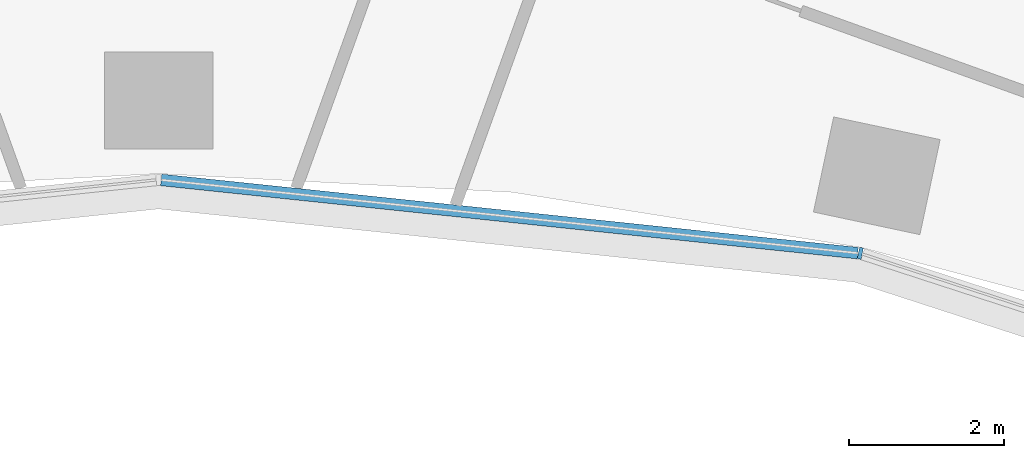
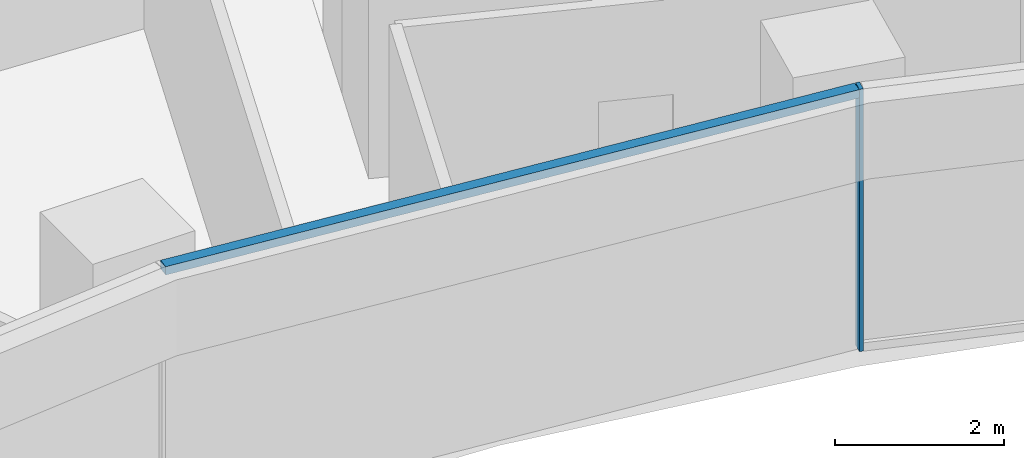
# One storey, part 6 of 25: 2 members, 1 element without a shape of its own.
"""IFC4 building model written with IfcOpenShell, lengths in metres."""

from ifc_helpers import new_model, si_unit, direction, frame, origin, origin_2d, place, context, subcontext, project, spatial, rectangle, extrude, material, layer, layer_set, material_profile, profile_set, type_object, element, aggregate, save


model = new_model("IFC4")

# Units and contexts
model_context = context("Model", 3, precision=1e-05, world=origin(), true_north=direction((0.0, 1.0)))
body_context = subcontext(model_context, "Body", "Model", "MODEL_VIEW")
ifc_project = project(units=[si_unit("LENGTHUNIT", "METRE"), si_unit("AREAUNIT", "SQUARE_METRE"), si_unit("VOLUMEUNIT", "CUBIC_METRE"), si_unit("PLANEANGLEUNIT", "RADIAN"), si_unit("MASSUNIT", "GRAM", prefix="KILO")], contexts=[model_context])

# Site, building, storey
site_placement = place(None, origin())
site = spatial("IfcSite", under=ifc_project, at=site_placement, CompositionType="ELEMENT")
building_placement = place(site_placement, origin())
building = spatial("IfcBuilding", under=site, at=building_placement, Name="Stone Belt Terrace Tower", CompositionType="ELEMENT")
storey_placement = place(building_placement, frame((0.0, 0.0, 52.800048828125)))
storey = spatial("IfcBuildingStorey", under=building, at=storey_placement, Name="L12", CompositionType="ELEMENT", Elevation=52.800048828125)

# Curtain wall, members
ifc_material = material(Name="Aluminium 6063-T6 anodised frame", Category="aluminium")
ifc_layer = layer(ifc_material, 0.14990234375)
ifc_layer_set = layer_set([ifc_layer], Name="CW-B unitised concave-face curtain wall")
curtain_wall_type = type_object("IfcCurtainWallType", Name="CW-B unitised concave-face curtain wall", PredefinedType="NOTDEFINED", material=ifc_layer_set)
curtain_wall_placement = place(storey_placement, origin())
curtain_wall = element("IfcCurtainWall", 1, at=curtain_wall_placement, inside=storey, type_object=curtain_wall_type, Name="CW-B concave face L12", PredefinedType="NOTDEFINED")
ifc_material_profile_1 = material_profile(ifc_material, rectangle(XDim=0.14990234375, YDim=0.050048828125, at=origin_2d()), Name="Aluminium 6063-T6 50x150")
ifc_profile_set_1 = profile_set([ifc_material_profile_1], Name="Aluminium 6063-T6 anodised frame")
member_type_1 = type_object("IfcMemberType", Name="CW-B mullion 50 x 150", PredefinedType="MULLION", material=ifc_profile_set_1)
member_1_placement = place(storey_placement, frame((9.028564453125, 42.4755859375, 0.0), z_axis=(0.0, 0.0, 1.0), x_axis=(0.207911690818, 0.978147600734, 0.0)))
member_1 = element("IfcMember", 2, at=member_1_placement, type_object=member_type_1, Name="CW-B mullion 7", PredefinedType="MULLION", context=body_context, shape_type="SweptSolid", body=[
    extrude(rectangle(XDim=0.14990234375, YDim=0.050048828125, at=origin_2d()), origin(), (0.0, 0.0, 1.0), 3.800048828125),
])
ifc_material_profile_2 = material_profile(ifc_material, rectangle(XDim=0.14990234375, YDim=0.1201171875, at=origin_2d()), Name="Aluminium 6063-T6 150x120")
ifc_profile_set_2 = profile_set([ifc_material_profile_2], Name="Aluminium 6063-T6 anodised frame")
member_type_2 = type_object("IfcMemberType", Name="CW-B transom 120 x 150", PredefinedType="USERDEFINED", material=ifc_profile_set_2)
member_2_placement = place(storey_placement, frame((0.032470703125, 43.421142578125, 3.739990234375), z_axis=(0.994521323407, -0.104533904969, 0.0), x_axis=(0.104533904969, 0.994521323407, 0.0)))
member_2 = element("IfcMember", 3, at=member_2_placement, type_object=member_type_2, Name="CW-B transom 6.1", ObjectType="TRANSOM", PredefinedType="USERDEFINED", context=body_context, shape_type="SweptSolid", body=[
    extrude(rectangle(XDim=0.14990234375, YDim=0.1201171875, at=origin_2d()), origin(), (0.0, 0.0, 1.0), 9.0126953125),
])
aggregate(curtain_wall, [member_1, member_2])

save(model, "model.ifc")
